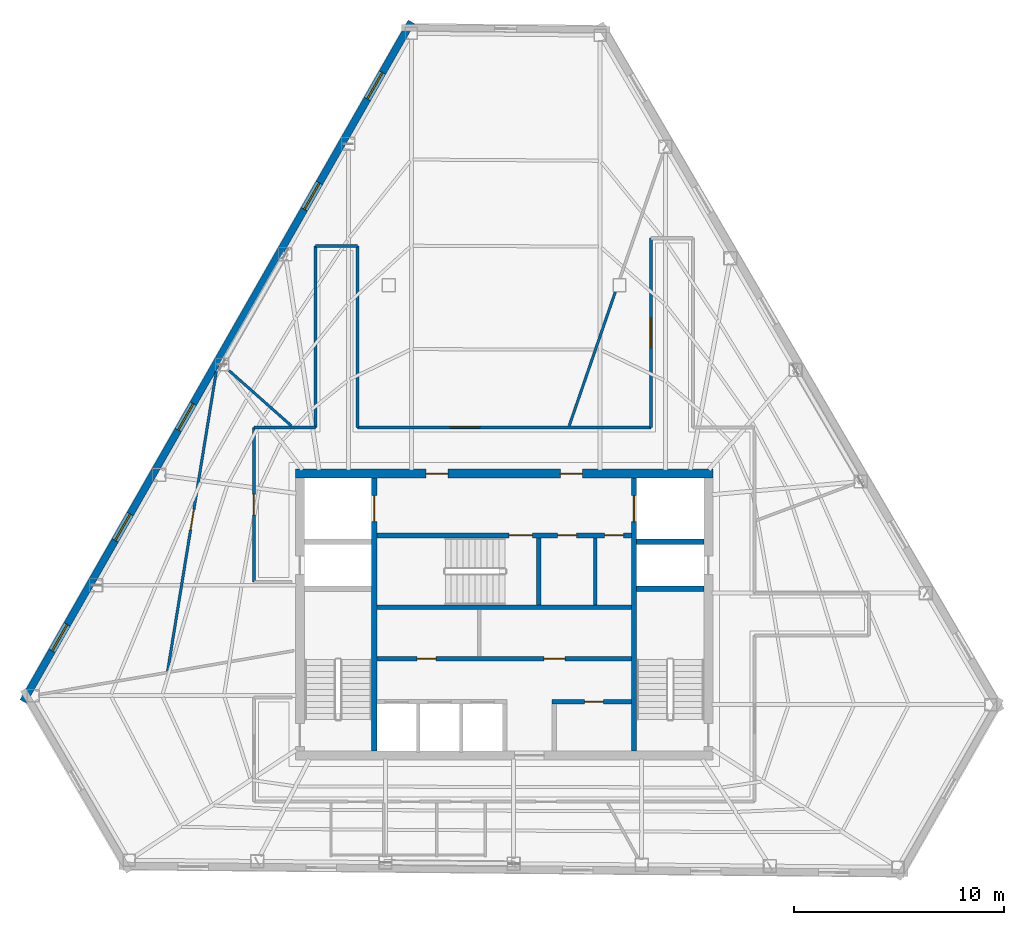
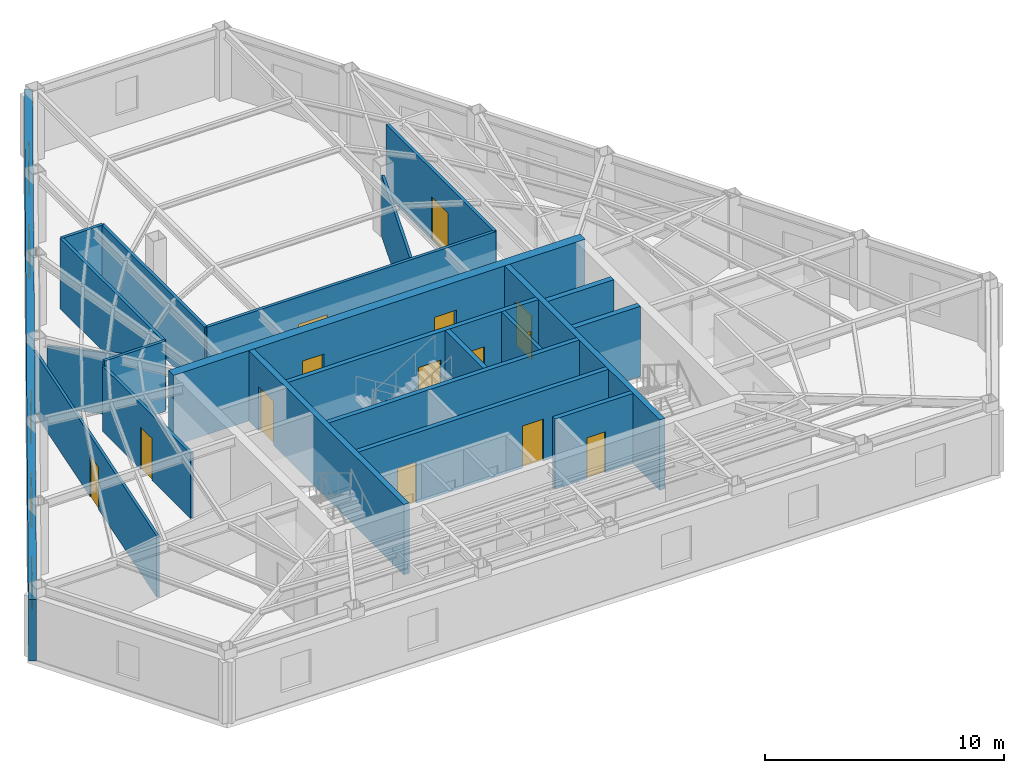
# One storey, part 8 of 10: 22 walls, 14 doors, 5 windows, 19 openings.
"""IFC4 building model written with IfcOpenShell, lengths in metres."""

from ifc_helpers import new_model, si_unit, direction, frame, frame_2d, origin, place, context, subcontext, project, spatial, rectangle, extrude, material, layer, layer_set, type_object, element, fill, save


model = new_model("IFC4")

# Units and contexts
model_context = context("Model", 3, precision=1e-05, world=origin(), true_north=direction((0.0, 1.0)))
body_context = subcontext(model_context, "Body", "Model", "MODEL_VIEW")
ifc_project = project(units=[si_unit("LENGTHUNIT", "METRE"), si_unit("AREAUNIT", "SQUARE_METRE"), si_unit("VOLUMEUNIT", "CUBIC_METRE"), si_unit("PLANEANGLEUNIT", "RADIAN"), si_unit("MASSUNIT", "GRAM", prefix="KILO")], contexts=[model_context])

# Site, building, storey
site_placement = place(None, origin())
site = spatial("IfcSite", under=ifc_project, at=site_placement, CompositionType="ELEMENT")
building_placement = place(site_placement, origin())
building = spatial("IfcBuilding", under=site, at=building_placement, Name="Kavelnor Concourse Tower", CompositionType="ELEMENT")
storey_placement = place(building_placement, frame((0.0, 0.0, 180.39990234375)))
storey = spatial("IfcBuildingStorey", under=building, at=storey_placement, Name="L45", CompositionType="ELEMENT", Elevation=180.39990234375)

# Wall, openings, doors
ifc_material_1 = material(Name="Concrete C50/60", Category="concrete")
ifc_layer_1 = layer(ifc_material_1, 0.43994140625, Name="Concrete C50/60")
ifc_layer_set_1 = layer_set([ifc_layer_1], Name="Concrete C50/60")
wall_type_1 = type_object("IfcWallType", Name="WL-CORE-Z3-440", PredefinedType="SOLIDWALL", material=ifc_layer_set_1)
wall_1_placement = place(storey_placement, frame((28.0400390625, 22.820068359375, 0.0), z_axis=(0.0, 0.0, 1.0), x_axis=(1.0, 0.0, 0.0)))
wall_1 = element("IfcWall", 1, at=wall_1_placement, inside=storey, type_object=wall_type_1, Name="L45 Central Core North Shear Wall", PredefinedType="SOLIDWALL", context=body_context, shape_type="SweptSolid", body=[
    extrude(rectangle(XDim=19.919921875, YDim=0.43994140625, at=frame_2d((9.9599609375, 0.0))), origin(), (0.0, 0.0, 1.0), 3.60009765625),
])
opening_1_placement = place(wall_1_placement, frame((6.235107421875, 0.0, 0.0)))
opening_1 = element("IfcOpeningElement", 2, at=opening_1_placement, cuts=wall_1, Name="Opening FD-105", PredefinedType="OPENING", context=body_context, shape_type="SweptSolid", body=[
    extrude(rectangle(XDim=1.050048828125, YDim=2.14990234375, at=frame_2d((0.52490234375, 1.074951171875))), frame((0.0, 0.22998046875, 0.0), z_axis=(0.0, -1.0, 0.0), x_axis=(1.0, 0.0, 0.0)), (0.0, 0.0, 1.0), 0.4599609375),
])
opening_2_placement = place(wall_1_placement, frame((12.635009765625, 0.0, 0.0)))
opening_2 = element("IfcOpeningElement", 3, at=opening_2_placement, cuts=wall_1, Name="Opening FD-105", PredefinedType="OPENING", context=body_context, shape_type="SweptSolid", body=[
    extrude(rectangle(XDim=1.050048828125, YDim=2.14990234375, at=frame_2d((0.52490234375, 1.074951171875))), frame((0.0, 0.22998046875, 0.0), z_axis=(0.0, -1.0, 0.0), x_axis=(1.0, 0.0, 0.0)), (0.0, 0.0, 1.0), 0.4599609375),
])
ifc_material_2 = material(Name="Steel Grade 350", Category="steel")
door_type_1 = type_object("IfcDoorType", Name="DR-LOBBY-FIRE-1050", OperationType="NOTDEFINED", PredefinedType="DOOR", material=ifc_material_2)
door_1_placement = place(opening_1_placement, origin())
door_1 = element("IfcDoor", 4, at=door_1_placement, inside=storey, type_object=door_type_1, Name="L45 Emergency Lift Lobby West Door", OperationType="SINGLE_SWING_LEFT", OverallHeight=2.14990234375, OverallWidth=1.050048828125, PredefinedType="DOOR", context=body_context, shape_type="SweptSolid", body=[
    extrude(rectangle(XDim=1.050048828125, YDim=2.14990234375, at=frame_2d((0.52490234375, 1.074951171875))), frame((0.0, 0.02490234375, 0.0), z_axis=(0.0, -1.0, 0.0), x_axis=(1.0, 0.0, 0.0)), (0.0, 0.0, 1.0), 0.050048828125),
])
fill(opening_1, door_1)
door_2_placement = place(opening_2_placement, origin())
door_2 = element("IfcDoor", 5, at=door_2_placement, inside=storey, type_object=door_type_1, Name="L45 Emergency Lift Lobby East Door", OperationType="SINGLE_SWING_RIGHT", OverallHeight=2.14990234375, OverallWidth=1.050048828125, PredefinedType="DOOR", context=body_context, shape_type="SweptSolid", body=[
    extrude(rectangle(XDim=1.050048828125, YDim=2.14990234375, at=frame_2d((0.52490234375, 1.074951171875))), frame((0.0, 0.02490234375, 0.0), z_axis=(0.0, -1.0, 0.0), x_axis=(1.0, 0.0, 0.0)), (0.0, 0.0, 1.0), 0.050048828125),
])
fill(opening_2, door_2)

# Wall, openings, windows
ifc_material_3 = material(Name="Red-ochre clay face brick masonry", Category="masonry")
ifc_layer_2 = layer(ifc_material_3, 0.35009765625, Name="Red-ochre clay face brick masonry")
ifc_layer_set_2 = layer_set([ifc_layer_2], Name="Red-ochre clay face brick masonry")
wall_type_2 = type_object("IfcWallType", Name="WL-EXT-RED-BRICK-PIER-350", PredefinedType="STANDARD", material=ifc_layer_set_2)
wall_2_placement = place(storey_placement, frame((15.064208984375, 11.95263671875, 0.0), z_axis=(0.0, 0.0, 1.0), x_axis=(0.495993114815, 0.86832645362, 0.0)))
wall_2 = element("IfcWall", 6, at=wall_2_placement, inside=storey, type_object=wall_type_2, Name="L45 Exterior Brick Facade Wall E1", PredefinedType="STANDARD", context=body_context, shape_type="SweptSolid", body=[
    extrude(rectangle(XDim=37.323974609375, YDim=0.35009765625, at=frame_2d((18.662109375, 0.0))), origin(), (0.0, 0.0, 1.0), 3.132080078125),
])
opening_3_placement = place(wall_2_placement, frame((33.0869140625, 0.0, 0.64990234375)))
opening_3 = element("IfcOpeningElement", 7, at=opening_3_placement, cuts=wall_2, Name="Opening W-03", PredefinedType="OPENING", context=body_context, shape_type="SweptSolid", body=[
    extrude(rectangle(XDim=1.449951171875, YDim=1.75, at=frame_2d((0.72509765625, 0.875))), frame((0.0, 0.18505859375, 0.0), z_axis=(0.0, -1.0, 0.0), x_axis=(1.0, 0.0, 0.0)), (0.0, 0.0, 1.0), 0.3701171875),
])
opening_4_placement = place(wall_2_placement, frame((27.026123046875, 0.0, 0.64990234375)))
opening_4 = element("IfcOpeningElement", 8, at=opening_4_placement, cuts=wall_2, Name="Opening W-03", PredefinedType="OPENING", context=body_context, shape_type="SweptSolid", body=[
    extrude(rectangle(XDim=1.449951171875, YDim=1.75, at=frame_2d((0.72509765625, 0.875))), frame((0.0, 0.18505859375, 0.0), z_axis=(0.0, -1.0, 0.0), x_axis=(1.0, 0.0, 0.0)), (0.0, 0.0, 1.0), 0.3701171875),
])
opening_5_placement = place(wall_2_placement, frame((14.904296875, 0.0, 0.64990234375)))
opening_5 = element("IfcOpeningElement", 9, at=opening_5_placement, cuts=wall_2, Name="Opening W-03", PredefinedType="OPENING", context=body_context, shape_type="SweptSolid", body=[
    extrude(rectangle(XDim=1.449951171875, YDim=1.75, at=frame_2d((0.72509765625, 0.875))), frame((0.0, 0.18505859375, 0.0), z_axis=(0.0, -1.0, 0.0), x_axis=(1.0, 0.0, 0.0)), (0.0, 0.0, 1.0), 0.3701171875),
])
opening_6_placement = place(wall_2_placement, frame((8.843505859375, 0.0, 0.64990234375)))
opening_6 = element("IfcOpeningElement", 10, at=opening_6_placement, cuts=wall_2, Name="Opening W-03", PredefinedType="OPENING", context=body_context, shape_type="SweptSolid", body=[
    extrude(rectangle(XDim=1.449951171875, YDim=1.75, at=frame_2d((0.72509765625, 0.875))), frame((0.0, 0.18505859375, 0.0), z_axis=(0.0, -1.0, 0.0), x_axis=(1.0, 0.0, 0.0)), (0.0, 0.0, 1.0), 0.3701171875),
])
opening_7_placement = place(wall_2_placement, frame((2.782470703125, 0.0, 0.64990234375)))
opening_7 = element("IfcOpeningElement", 11, at=opening_7_placement, cuts=wall_2, Name="Opening W-03", PredefinedType="OPENING", context=body_context, shape_type="SweptSolid", body=[
    extrude(rectangle(XDim=1.449951171875, YDim=1.75, at=frame_2d((0.72509765625, 0.875))), frame((0.0, 0.18505859375, 0.0), z_axis=(0.0, -1.0, 0.0), x_axis=(1.0, 0.0, 0.0)), (0.0, 0.0, 1.0), 0.3701171875),
])
ifc_material_4 = material(Name="Double low-E argon insulated glazing", Category="glass")
window_type = type_object("IfcWindowType", Name="WIN-PIER-Z3-1500", PartitioningType="SINGLE_PANEL", PredefinedType="WINDOW", material=ifc_material_4)
window_1_placement = place(opening_3_placement, origin())
window_1 = element("IfcWindow", 12, at=window_1_placement, inside=storey, type_object=window_type, Name="L45 Deep-Set Brick Pier Window F0-B0", OverallHeight=1.75, OverallWidth=1.449951171875, PartitioningType="SINGLE_PANEL", PredefinedType="WINDOW", context=body_context, shape_type="SweptSolid", body=[
    extrude(rectangle(XDim=1.449951171875, YDim=1.75, at=frame_2d((0.72509765625, 0.875))), frame((0.0, 0.030029296875, 0.0), z_axis=(0.0, -1.0, 0.0), x_axis=(1.0, 0.0, 0.0)), (0.0, 0.0, 1.0), 0.06005859375),
])
fill(opening_3, window_1)
window_2_placement = place(opening_4_placement, origin())
window_2 = element("IfcWindow", 13, at=window_2_placement, inside=storey, type_object=window_type, Name="L45 Deep-Set Brick Pier Window F0-B1", OverallHeight=1.75, OverallWidth=1.449951171875, PartitioningType="SINGLE_PANEL", PredefinedType="WINDOW", context=body_context, shape_type="SweptSolid", body=[
    extrude(rectangle(XDim=1.449951171875, YDim=1.75, at=frame_2d((0.72509765625, 0.875))), frame((0.0, 0.030029296875, 0.0), z_axis=(0.0, -1.0, 0.0), x_axis=(1.0, 0.0, 0.0)), (0.0, 0.0, 1.0), 0.06005859375),
])
fill(opening_4, window_2)
window_3_placement = place(opening_5_placement, origin())
window_3 = element("IfcWindow", 14, at=window_3_placement, inside=storey, type_object=window_type, Name="L45 Deep-Set Brick Pier Window F0-B3", OverallHeight=1.75, OverallWidth=1.449951171875, PartitioningType="SINGLE_PANEL", PredefinedType="WINDOW", context=body_context, shape_type="SweptSolid", body=[
    extrude(rectangle(XDim=1.449951171875, YDim=1.75, at=frame_2d((0.72509765625, 0.875))), frame((0.0, 0.030029296875, 0.0), z_axis=(0.0, -1.0, 0.0), x_axis=(1.0, 0.0, 0.0)), (0.0, 0.0, 1.0), 0.06005859375),
])
fill(opening_5, window_3)
window_4_placement = place(opening_6_placement, origin())
window_4 = element("IfcWindow", 15, at=window_4_placement, inside=storey, type_object=window_type, Name="L45 Deep-Set Brick Pier Window F0-B4", OverallHeight=1.75, OverallWidth=1.449951171875, PartitioningType="SINGLE_PANEL", PredefinedType="WINDOW", context=body_context, shape_type="SweptSolid", body=[
    extrude(rectangle(XDim=1.449951171875, YDim=1.75, at=frame_2d((0.72509765625, 0.875))), frame((0.0, 0.030029296875, 0.0), z_axis=(0.0, -1.0, 0.0), x_axis=(1.0, 0.0, 0.0)), (0.0, 0.0, 1.0), 0.06005859375),
])
fill(opening_6, window_4)
window_5_placement = place(opening_7_placement, origin())
window_5 = element("IfcWindow", 16, at=window_5_placement, inside=storey, type_object=window_type, Name="L45 Deep-Set Brick Pier Window F0-B5", OverallHeight=1.75, OverallWidth=1.449951171875, PartitioningType="SINGLE_PANEL", PredefinedType="WINDOW", context=body_context, shape_type="SweptSolid", body=[
    extrude(rectangle(XDim=1.449951171875, YDim=1.75, at=frame_2d((0.72509765625, 0.875))), frame((0.0, 0.030029296875, 0.0), z_axis=(0.0, -1.0, 0.0), x_axis=(1.0, 0.0, 0.0)), (0.0, 0.0, 1.0), 0.06005859375),
])
fill(opening_7, window_5)

# Wall, opening, door
ifc_material_5 = material(Name="Gypsum plasterboard on light-gauge steel studs", Category="steel")
ifc_layer_3 = layer(ifc_material_5, 0.14501953125, Name="Gypsum plasterboard on light-gauge steel studs")
ifc_layer_set_3 = layer_set([ifc_layer_3], Name="Gypsum plasterboard on light-gauge steel studs")
wall_type_3 = type_object("IfcWallType", Name="WL-INT-CORR-145", PredefinedType="PARTITIONING", material=ifc_layer_set_3)
wall_3_placement = place(storey_placement, frame((26.06005859375, 17.64990234375, 0.0), z_axis=(0.0, 0.0, 1.0), x_axis=(0.0, 1.0, 0.0)))
wall_3 = element("IfcWall", 17, at=wall_3_placement, inside=storey, type_object=wall_type_3, Name="L45 Corridor Wall WL-L45-CR-02", PredefinedType="PARTITIONING", context=body_context, shape_type="SweptSolid", body=[
    extrude(rectangle(XDim=7.3701171875, YDim=0.14501953125, at=frame_2d((3.68505859375, 0.0))), origin(), (0.0, 0.0, 1.0), 3.339111328125),
])
opening_8_placement = place(wall_3_placement, frame((3.195068359375, 0.0, 0.0)))
opening_8 = element("IfcOpeningElement", 18, at=opening_8_placement, cuts=wall_3, Name="Opening OD-098", PredefinedType="OPENING", context=body_context, shape_type="SweptSolid", body=[
    extrude(rectangle(XDim=0.97998046875, YDim=2.14990234375, at=frame_2d((0.489990234375, 1.074951171875))), frame((0.0, 0.08251953125, 0.0), z_axis=(0.0, -1.0, 0.0), x_axis=(1.0, 0.0, 0.0)), (0.0, 0.0, 1.0), 0.1650390625),
])
ifc_material_6 = material(Name="Solid-core hardwood timber", Category="wood")
door_type_2 = type_object("IfcDoorType", Name="DR-OFFICE-980", OperationType="NOTDEFINED", PredefinedType="DOOR", material=ifc_material_6)
door_3_placement = place(opening_8_placement, origin())
door_3 = element("IfcDoor", 19, at=door_3_placement, inside=storey, type_object=door_type_2, Name="L45 Executive Dining Room 03 Door", OperationType="SINGLE_SWING_LEFT", OverallHeight=2.14990234375, OverallWidth=0.97998046875, PredefinedType="DOOR", context=body_context, shape_type="SweptSolid", body=[
    extrude(rectangle(XDim=0.97998046875, YDim=2.14990234375, at=frame_2d((0.489990234375, 1.074951171875))), frame((0.0, 0.02490234375, 0.0), z_axis=(0.0, -1.0, 0.0), x_axis=(1.0, 0.0, 0.0)), (0.0, 0.0, 1.0), 0.050048828125),
])
fill(opening_8, door_3)

# Walls
wall_4_placement = place(storey_placement, frame((26.06005859375, 25.02001953125, 0.0), z_axis=(0.0, 0.0, 1.0), x_axis=(1.0, 0.0, 0.0)))
element("IfcWall", 20, at=wall_4_placement, inside=storey, type_object=wall_type_3, Name="L45 Corridor Wall WL-L45-CR-03", PredefinedType="PARTITIONING", context=body_context, shape_type="SweptSolid", body=[
    extrude(rectangle(XDim=2.93994140625, YDim=0.14501953125, at=frame_2d((1.469970703125, 0.0))), origin(), (0.0, 0.0, 1.0), 3.60009765625),
])
wall_5_placement = place(storey_placement, frame((29.0, 25.02001953125, 0.0), z_axis=(0.0, 0.0, 1.0), x_axis=(0.0, 1.0, 0.0)))
element("IfcWall", 21, at=wall_5_placement, inside=storey, type_object=wall_type_3, Name="L45 Corridor Wall WL-L45-CR-04", PredefinedType="PARTITIONING", context=body_context, shape_type="SweptSolid", body=[
    extrude(rectangle(XDim=8.661865234375, YDim=0.14501953125, at=frame_2d((4.3310546875, 0.0))), origin(), (0.0, 0.0, 1.0), 3.60009765625),
])
wall_6_placement = place(storey_placement, frame((29.0, 33.681884765625, 0.0), z_axis=(0.0, 0.0, 1.0), x_axis=(1.0, 0.0, 0.0)))
element("IfcWall", 22, at=wall_6_placement, inside=storey, type_object=wall_type_3, Name="L45 Corridor Wall WL-L45-CR-05", PredefinedType="PARTITIONING", context=body_context, shape_type="SweptSolid", body=[
    extrude(rectangle(XDim=2.0, YDim=0.14501953125, at=frame_2d((1.0, 0.0))), origin(), (0.0, 0.0, 1.0), 3.60009765625),
])
wall_7_placement = place(storey_placement, frame((31.0, 33.681884765625, 0.0), z_axis=(0.0, 0.0, 1.0), x_axis=(0.0, -1.0, 0.0)))
element("IfcWall", 23, at=wall_7_placement, inside=storey, type_object=wall_type_3, Name="L45 Corridor Wall WL-L45-CR-06", PredefinedType="PARTITIONING", context=body_context, shape_type="SweptSolid", body=[
    extrude(rectangle(XDim=8.661865234375, YDim=0.14501953125, at=frame_2d((4.3310546875, 0.0))), origin(), (0.0, 0.0, 1.0), 3.60009765625),
])

# Wall, opening, door
wall_8_placement = place(storey_placement, frame((31.0, 25.02001953125, 0.0), z_axis=(0.0, 0.0, 1.0), x_axis=(1.0, 0.0, 0.0)))
wall_8 = element("IfcWall", 24, at=wall_8_placement, inside=storey, type_object=wall_type_3, Name="L45 Corridor Wall WL-L45-CR-07", PredefinedType="PARTITIONING", context=body_context, shape_type="SweptSolid", body=[
    extrude(rectangle(XDim=14.0, YDim=0.14501953125, at=frame_2d((7.0, 0.0))), origin(), (0.0, 0.0, 1.0), 3.60009765625),
])
opening_9_placement = place(wall_8_placement, frame((4.434326171875, 0.0, 0.0)))
opening_9 = element("IfcOpeningElement", 25, at=opening_9_placement, cuts=wall_8, Name="Opening SD-140", PredefinedType="OPENING", context=body_context, shape_type="SweptSolid", body=[
    extrude(rectangle(XDim=1.39990234375, YDim=2.199951171875, at=frame_2d((0.699951171875, 1.10009765625))), frame((0.0, 0.08251953125, 0.0), z_axis=(0.0, -1.0, 0.0), x_axis=(1.0, 0.0, 0.0)), (0.0, 0.0, 1.0), 0.1650390625),
])
door_type_3 = type_object("IfcDoorType", Name="DR-SUITE-ENTRY-1400", OperationType="NOTDEFINED", PredefinedType="DOOR", material=ifc_material_6)
door_4_placement = place(opening_9_placement, origin())
door_4 = element("IfcDoor", 26, at=door_4_placement, inside=storey, type_object=door_type_3, Name="L45 Workplace Open Office 02 Door", OperationType="SINGLE_SWING_RIGHT", OverallHeight=2.199951171875, OverallWidth=1.39990234375, PredefinedType="DOOR", context=body_context, shape_type="SweptSolid", body=[
    extrude(rectangle(XDim=1.39990234375, YDim=2.199951171875, at=frame_2d((0.699951171875, 1.10009765625))), frame((0.0, 0.02490234375, 0.0), z_axis=(0.0, -1.0, 0.0), x_axis=(1.0, 0.0, 0.0)), (0.0, 0.0, 1.0), 0.050048828125),
])
fill(opening_9, door_4)

wall_9_placement = place(storey_placement, frame((45.0, 25.02001953125, 0.0), z_axis=(0.0, 0.0, 1.0), x_axis=(0.0, 1.0, 0.0)))
wall_9 = element("IfcWall", 27, at=wall_9_placement, inside=storey, type_object=wall_type_3, Name="L45 Corridor Wall WL-L45-CR-08", PredefinedType="PARTITIONING", context=body_context, shape_type="SweptSolid", body=[
    extrude(rectangle(XDim=9.0224609375, YDim=0.14501953125, at=frame_2d((4.51123046875, 0.0))), origin(), (0.0, 0.0, 1.0), 3.60009765625),
])
opening_10_placement = place(wall_9_placement, frame((3.811279296875, 0.0, 0.0)))
opening_10 = element("IfcOpeningElement", 28, at=opening_10_placement, cuts=wall_9, Name="Opening SD-140", PredefinedType="OPENING", context=body_context, shape_type="SweptSolid", body=[
    extrude(rectangle(XDim=1.39990234375, YDim=2.199951171875, at=frame_2d((0.699951171875, 1.10009765625))), frame((0.0, 0.08251953125, 0.0), z_axis=(0.0, -1.0, 0.0), x_axis=(1.0, 0.0, 0.0)), (0.0, 0.0, 1.0), 0.1650390625),
])
door_5_placement = place(opening_10_placement, origin())
door_5 = element("IfcDoor", 29, at=door_5_placement, inside=storey, type_object=door_type_3, Name="L45 Technical Reference Library 01 Door", OperationType="SINGLE_SWING_LEFT", OverallHeight=2.199951171875, OverallWidth=1.39990234375, PredefinedType="DOOR", context=body_context, shape_type="SweptSolid", body=[
    extrude(rectangle(XDim=1.39990234375, YDim=2.199951171875, at=frame_2d((0.699951171875, 1.10009765625))), frame((0.0, 0.02490234375, 0.0), z_axis=(0.0, -1.0, 0.0), x_axis=(1.0, 0.0, 0.0)), (0.0, 0.0, 1.0), 0.050048828125),
])
fill(opening_10, door_5)

# Walls
ifc_layer_4 = layer(ifc_material_5, 0.1650390625, Name="Gypsum plasterboard on light-gauge steel studs")
ifc_layer_set_4 = layer_set([ifc_layer_4], Name="Gypsum plasterboard on light-gauge steel studs")
wall_type_4 = type_object("IfcWallType", Name="WL-INT-FIRE-165", PredefinedType="PARTITIONING", material=ifc_layer_set_4)
wall_10_placement = place(storey_placement, frame((42.35009765625, 16.56005859375, 0.0), z_axis=(0.0, 0.0, 1.0), x_axis=(0.0, 1.0, 0.0)))
element("IfcWall", 30, at=wall_10_placement, inside=storey, type_object=wall_type_4, Name="L45 Core Support Asymmetric Divider", PredefinedType="PARTITIONING", context=body_context, shape_type="SweptSolid", body=[
    extrude(rectangle(XDim=3.199951171875, YDim=0.1650390625, at=frame_2d((1.60009765625, 0.0))), origin(), (0.0, 0.0, 1.0), 3.60009765625),
])
ifc_layer_5 = layer(ifc_material_5, 0.125, Name="Gypsum plasterboard on light-gauge steel studs")
ifc_layer_set_5 = layer_set([ifc_layer_5], Name="Gypsum plasterboard on light-gauge steel studs")
wall_type_5 = type_object("IfcWallType", Name="WL-INT-SUITE-125", PredefinedType="PARTITIONING", material=ifc_layer_set_5)
wall_11_placement = place(storey_placement, frame((41.1005859375, 25.1005859375, 0.0), z_axis=(0.0, 0.0, 1.0), x_axis=(0.325732757855, 0.945461882077, 0.0)))
element("IfcWall", 31, at=wall_11_placement, inside=storey, type_object=wall_type_5, Name="L45 Radial Suite Partition 02", PredefinedType="PARTITIONING", context=body_context, shape_type="SweptSolid", body=[
    extrude(rectangle(XDim=6.73876953125, YDim=0.125, at=frame_2d((3.369384765625, 0.0))), origin(), (0.0, 0.0, 1.0), 3.14111328125),
])
wall_12_placement = place(storey_placement, frame((27.848388671875, 25.1005859375, 0.0), z_axis=(0.0, 0.0, 1.0), x_axis=(-0.748288582972, 0.66337334631, 0.0)))
element("IfcWall", 32, at=wall_12_placement, inside=storey, type_object=wall_type_5, Name="L45 Radial Suite Partition 03", PredefinedType="PARTITIONING", context=body_context, shape_type="SweptSolid", body=[
    extrude(rectangle(XDim=3.96484375, YDim=0.125, at=frame_2d((1.982421875, 0.0))), origin(), (0.0, 0.0, 1.0), 3.14111328125),
])

# Wall, opening, door
wall_13_placement = place(storey_placement, frame((24.272705078125, 27.693603515625, 0.0), z_axis=(0.0, 0.0, 1.0), x_axis=(-0.160245052552, -0.987077263, 0.0)))
wall_13 = element("IfcWall", 33, at=wall_13_placement, inside=storey, type_object=wall_type_5, Name="L45 Suite Subdivision Partition 03", PredefinedType="PARTITIONING", context=body_context, shape_type="SweptSolid", body=[
    extrude(rectangle(XDim=14.530029296875, YDim=0.125, at=frame_2d((7.26513671875, 0.0))), origin(), (0.0, 0.0, 1.0), 3.135009765625),
])
opening_11_placement = place(wall_13_placement, frame((6.665283203125, 0.0, 0.0)))
opening_11 = element("IfcOpeningElement", 34, at=opening_11_placement, cuts=wall_13, Name="Opening OD-098", PredefinedType="OPENING", context=body_context, shape_type="SweptSolid", body=[
    extrude(rectangle(XDim=0.97998046875, YDim=2.14990234375, at=frame_2d((0.489990234375, 1.074951171875))), frame((0.0, 0.072509765625, 0.0), z_axis=(0.0, -1.0, 0.0), x_axis=(1.0, 0.0, 0.0)), (0.0, 0.0, 1.0), 0.14501953125),
])
door_6_placement = place(opening_11_placement, origin())
door_6 = element("IfcDoor", 35, at=door_6_placement, inside=storey, type_object=door_type_2, Name="L45 Technical Reference Library 04 Door", OperationType="SINGLE_SWING_RIGHT", OverallHeight=2.14990234375, OverallWidth=0.97998046875, PredefinedType="DOOR", context=body_context, shape_type="SweptSolid", body=[
    extrude(rectangle(XDim=0.97998046875, YDim=2.14990234375, at=frame_2d((0.489990234375, 1.074951171875))), frame((0.0, 0.02490234375, 0.0), z_axis=(0.0, -1.0, 0.0), x_axis=(1.0, 0.0, 0.0)), (0.0, 0.0, 1.0), 0.050048828125),
])
fill(opening_11, door_6)

# Wall, openings, doors
ifc_layer_6 = layer(ifc_material_1, 0.219970703125, Name="Concrete C50/60")
ifc_layer_set_6 = layer_set([ifc_layer_6], Name="Concrete C50/60")
wall_type_6 = type_object("IfcWallType", Name="WL-SHAFT-220", PredefinedType="SOLIDWALL", material=ifc_layer_set_6)
wall_14_placement = place(storey_placement, frame((31.93994140625, 19.8701171875, 0.0), z_axis=(0.0, 0.0, 1.0), x_axis=(1.0, 0.0, 0.0)))
wall_14 = element("IfcWall", 36, at=wall_14_placement, inside=storey, type_object=wall_type_6, Name="L45 Emergency Lift Lobby South Wall", PredefinedType="SOLIDWALL", context=body_context, shape_type="SweptSolid", body=[
    extrude(rectangle(XDim=12.1201171875, YDim=0.219970703125, at=frame_2d((6.06005859375, 0.0))), origin(), (0.0, 0.0, 1.0), 3.60009765625),
])
opening_12_placement = place(wall_14_placement, frame((6.300048828125, 0.0, 0.0)))
opening_12 = element("IfcOpeningElement", 37, at=opening_12_placement, cuts=wall_14, Name="Opening FD-110", PredefinedType="OPENING", context=body_context, shape_type="SweptSolid", body=[
    extrude(rectangle(XDim=1.10009765625, YDim=2.14990234375, at=frame_2d((0.550048828125, 1.074951171875))), frame((0.0, 0.1201171875, 0.0), z_axis=(0.0, -1.0, 0.0), x_axis=(1.0, 0.0, 0.0)), (0.0, 0.0, 1.0), 0.239990234375),
])
opening_13_placement = place(wall_14_placement, frame((8.610107421875, 0.0, 0.0)))
opening_13 = element("IfcOpeningElement", 38, at=opening_13_placement, cuts=wall_14, Name="Opening FD-090", PredefinedType="OPENING", context=body_context, shape_type="SweptSolid", body=[
    extrude(rectangle(XDim=0.89990234375, YDim=2.10009765625, at=frame_2d((0.449951171875, 1.050048828125))), frame((0.0, 0.1201171875, 0.0), z_axis=(0.0, -1.0, 0.0), x_axis=(1.0, 0.0, 0.0)), (0.0, 0.0, 1.0), 0.239990234375),
])
opening_14_placement = place(wall_14_placement, frame((10.85009765625, 0.0, 0.0)))
opening_14 = element("IfcOpeningElement", 39, at=opening_14_placement, cuts=wall_14, Name="Opening FD-090", PredefinedType="OPENING", context=body_context, shape_type="SweptSolid", body=[
    extrude(rectangle(XDim=0.89990234375, YDim=2.10009765625, at=frame_2d((0.449951171875, 1.050048828125))), frame((0.0, 0.1201171875, 0.0), z_axis=(0.0, -1.0, 0.0), x_axis=(1.0, 0.0, 0.0)), (0.0, 0.0, 1.0), 0.239990234375),
])
door_type_4 = type_object("IfcDoorType", Name="DR-RISER-FIRE-900", OperationType="NOTDEFINED", PredefinedType="DOOR", material=ifc_material_2)
door_7_placement = place(opening_13_placement, origin())
door_7 = element("IfcDoor", 40, at=door_7_placement, inside=storey, type_object=door_type_4, Name="L45 Electrical Room Door", OperationType="SINGLE_SWING_LEFT", OverallHeight=2.10009765625, OverallWidth=0.89990234375, PredefinedType="DOOR", context=body_context, shape_type="SweptSolid", body=[
    extrude(rectangle(XDim=0.89990234375, YDim=2.10009765625, at=frame_2d((0.449951171875, 1.050048828125))), frame((0.0, 0.02490234375, 0.0), z_axis=(0.0, -1.0, 0.0), x_axis=(1.0, 0.0, 0.0)), (0.0, 0.0, 1.0), 0.050048828125),
])
fill(opening_13, door_7)
door_8_placement = place(opening_14_placement, origin())
door_8 = element("IfcDoor", 41, at=door_8_placement, inside=storey, type_object=door_type_4, Name="L45 Cleaner Store Door", OperationType="SINGLE_SWING_RIGHT", OverallHeight=2.10009765625, OverallWidth=0.89990234375, PredefinedType="DOOR", context=body_context, shape_type="SweptSolid", body=[
    extrude(rectangle(XDim=0.89990234375, YDim=2.10009765625, at=frame_2d((0.449951171875, 1.050048828125))), frame((0.0, 0.02490234375, 0.0), z_axis=(0.0, -1.0, 0.0), x_axis=(1.0, 0.0, 0.0)), (0.0, 0.0, 1.0), 0.050048828125),
])
fill(opening_14, door_8)
door_type_5 = type_object("IfcDoorType", Name="DR-STAIR-FIRE-1100", OperationType="NOTDEFINED", PredefinedType="DOOR", material=ifc_material_2)
door_9_placement = place(opening_12_placement, origin())
door_9 = element("IfcDoor", 42, at=door_9_placement, inside=storey, type_object=door_type_5, Name="L45 Stair ST3 Fire Door", OperationType="SINGLE_SWING_LEFT", OverallHeight=2.14990234375, OverallWidth=1.10009765625, PredefinedType="DOOR", context=body_context, shape_type="SweptSolid", body=[
    extrude(rectangle(XDim=1.10009765625, YDim=2.14990234375, at=frame_2d((0.550048828125, 1.074951171875))), frame((0.0, 0.02490234375, 0.0), z_axis=(0.0, -1.0, 0.0), x_axis=(1.0, 0.0, 0.0)), (0.0, 0.0, 1.0), 0.050048828125),
])
fill(opening_12, door_9)

# Walls
wall_15_placement = place(storey_placement, frame((31.93994140625, 16.449951171875, 0.0), z_axis=(0.0, 0.0, 1.0), x_axis=(1.0, 0.0, 0.0)))
element("IfcWall", 43, at=wall_15_placement, inside=storey, type_object=wall_type_6, Name="L45 Stair ST3 South Core Wall", PredefinedType="SOLIDWALL", context=body_context, shape_type="SweptSolid", body=[
    extrude(rectangle(XDim=12.1201171875, YDim=0.219970703125, at=frame_2d((6.06005859375, 0.0))), origin(), (0.0, 0.0, 1.0), 3.60009765625),
])
wall_16_placement = place(storey_placement, frame((39.64990234375, 16.56005859375, 0.0), z_axis=(0.0, 0.0, 1.0), x_axis=(0.0, 1.0, 0.0)))
element("IfcWall", 44, at=wall_16_placement, inside=storey, type_object=wall_type_6, Name="L45 Stair ST3 East Core Wall", PredefinedType="SOLIDWALL", context=body_context, shape_type="SweptSolid", body=[
    extrude(rectangle(XDim=3.199951171875, YDim=0.219970703125, at=frame_2d((1.60009765625, 0.0))), origin(), (0.0, 0.0, 1.0), 3.60009765625),
])

# Wall, openings, doors
wall_17_placement = place(storey_placement, frame((31.93994140625, 13.989990234375, 0.0), z_axis=(0.0, 0.0, 1.0), x_axis=(1.0, 0.0, 0.0)))
wall_17 = element("IfcWall", 45, at=wall_17_placement, inside=storey, type_object=wall_type_6, Name="L45 North Lift Row Shaft Wall", PredefinedType="SOLIDWALL", context=body_context, shape_type="SweptSolid", body=[
    extrude(rectangle(XDim=12.1201171875, YDim=0.219970703125, at=frame_2d((6.06005859375, 0.0))), origin(), (0.0, 0.0, 1.0), 3.60009765625),
])
opening_15_placement = place(wall_17_placement, frame((1.909912109375, 0.0, 0.0)))
opening_15 = element("IfcOpeningElement", 46, at=opening_15_placement, cuts=wall_17, Name="Opening FD-090", PredefinedType="OPENING", context=body_context, shape_type="SweptSolid", body=[
    extrude(rectangle(XDim=0.89990234375, YDim=2.10009765625, at=frame_2d((0.449951171875, 1.050048828125))), frame((0.0, 0.1201171875, 0.0), z_axis=(0.0, -1.0, 0.0), x_axis=(1.0, 0.0, 0.0)), (0.0, 0.0, 1.0), 0.239990234375),
])
opening_16_placement = place(wall_17_placement, frame((7.949951171875, 0.0, 0.0)))
opening_16 = element("IfcOpeningElement", 47, at=opening_16_placement, cuts=wall_17, Name="Opening MD-102", PredefinedType="OPENING", context=body_context, shape_type="SweptSolid", body=[
    extrude(rectangle(XDim=1.02001953125, YDim=2.14990234375, at=frame_2d((0.510009765625, 1.074951171875))), frame((0.0, 0.1201171875, 0.0), z_axis=(0.0, -1.0, 0.0), x_axis=(1.0, 0.0, 0.0)), (0.0, 0.0, 1.0), 0.239990234375),
])
ifc_material_7 = material(Name="Acoustic glazed timber frame", Category="wood")
door_type_6 = type_object("IfcDoorType", Name="DR-MEETING-1020", OperationType="NOTDEFINED", PredefinedType="DOOR", material=ifc_material_7)
door_10_placement = place(opening_16_placement, origin())
door_10 = element("IfcDoor", 48, at=door_10_placement, inside=storey, type_object=door_type_6, Name="L45 Briefing Room Door", OperationType="SINGLE_SWING_RIGHT", OverallHeight=2.14990234375, OverallWidth=1.02001953125, PredefinedType="DOOR", context=body_context, shape_type="SweptSolid", body=[
    extrude(rectangle(XDim=1.02001953125, YDim=2.14990234375, at=frame_2d((0.510009765625, 1.074951171875))), frame((0.0, 0.02490234375, 0.0), z_axis=(0.0, -1.0, 0.0), x_axis=(1.0, 0.0, 0.0)), (0.0, 0.0, 1.0), 0.050048828125),
])
fill(opening_16, door_10)
door_11_placement = place(opening_15_placement, origin())
door_11 = element("IfcDoor", 49, at=door_11_placement, inside=storey, type_object=door_type_4, Name="L45 IT Room Door", OperationType="SINGLE_SWING_LEFT", OverallHeight=2.10009765625, OverallWidth=0.89990234375, PredefinedType="DOOR", context=body_context, shape_type="SweptSolid", body=[
    extrude(rectangle(XDim=0.89990234375, YDim=2.10009765625, at=frame_2d((0.449951171875, 1.050048828125))), frame((0.0, 0.02490234375, 0.0), z_axis=(0.0, -1.0, 0.0), x_axis=(1.0, 0.0, 0.0)), (0.0, 0.0, 1.0), 0.050048828125),
])
fill(opening_15, door_11)

# Wall, opening, door
wall_18_placement = place(storey_placement, frame((40.280029296875, 11.949951171875, 0.0), z_axis=(0.0, 0.0, 1.0), x_axis=(1.0, 0.0, 0.0)))
wall_18 = element("IfcWall", 50, at=wall_18_placement, inside=storey, type_object=wall_type_6, Name="L45 Core South Support North Wall", PredefinedType="SOLIDWALL", context=body_context, shape_type="SweptSolid", body=[
    extrude(rectangle(XDim=3.780029296875, YDim=0.219970703125, at=frame_2d((1.89013671875, 0.0))), origin(), (0.0, 0.0, 1.0), 3.60009765625),
])
opening_17_placement = place(wall_18_placement, frame((1.550048828125, 0.0, 0.0)))
opening_17 = element("IfcOpeningElement", 51, at=opening_17_placement, cuts=wall_18, Name="Opening FD-090", PredefinedType="OPENING", context=body_context, shape_type="SweptSolid", body=[
    extrude(rectangle(XDim=0.89990234375, YDim=2.10009765625, at=frame_2d((0.449951171875, 1.050048828125))), frame((0.0, 0.1201171875, 0.0), z_axis=(0.0, -1.0, 0.0), x_axis=(1.0, 0.0, 0.0)), (0.0, 0.0, 1.0), 0.239990234375),
])
door_12_placement = place(opening_17_placement, origin())
door_12 = element("IfcDoor", 52, at=door_12_placement, inside=storey, type_object=door_type_4, Name="L45 Core Utility Store Door", OperationType="SINGLE_SWING_LEFT", OverallHeight=2.10009765625, OverallWidth=0.89990234375, PredefinedType="DOOR", context=body_context, shape_type="SweptSolid", body=[
    extrude(rectangle(XDim=0.89990234375, YDim=2.10009765625, at=frame_2d((0.449951171875, 1.050048828125))), frame((0.0, 0.02490234375, 0.0), z_axis=(0.0, -1.0, 0.0), x_axis=(1.0, 0.0, 0.0)), (0.0, 0.0, 1.0), 0.050048828125),
])
fill(opening_17, door_12)

ifc_layer_7 = layer(ifc_material_1, 0.260009765625, Name="Concrete C50/60")
ifc_layer_set_7 = layer_set([ifc_layer_7], Name="Concrete C50/60")
wall_type_7 = type_object("IfcWallType", Name="WL-SHAFT-260", PredefinedType="SHEAR", material=ifc_layer_set_7)
wall_19_placement = place(storey_placement, frame((31.81005859375, 9.60009765625, 0.0), z_axis=(0.0, 0.0, 1.0), x_axis=(0.0, 1.0, 0.0)))
wall_19 = element("IfcWall", 53, at=wall_19_placement, inside=storey, type_object=wall_type_7, Name="L45 Core West Wing Shear Wall", PredefinedType="SHEAR", context=body_context, shape_type="SweptSolid", body=[
    extrude(rectangle(XDim=13.0, YDim=0.260009765625, at=frame_2d((6.5, 0.0))), origin(), (0.0, 0.0, 1.0), 3.60009765625),
])
opening_18_placement = place(wall_19_placement, frame((10.925048828125, 0.0, 0.0)))
opening_18 = element("IfcOpeningElement", 54, at=opening_18_placement, cuts=wall_19, Name="Opening LD-125", PredefinedType="OPENING", context=body_context, shape_type="SweptSolid", body=[
    extrude(rectangle(XDim=1.25, YDim=2.25, at=frame_2d((0.625, 1.125))), frame((0.0, 0.14013671875, 0.0), z_axis=(0.0, -1.0, 0.0), x_axis=(1.0, 0.0, 0.0)), (0.0, 0.0, 1.0), 0.280029296875),
])
door_type_7 = type_object("IfcDoorType", Name="DR-LIFT-SLIDING-1250", OperationType="NOTDEFINED", PredefinedType="DOOR", material=ifc_material_2)
door_13_placement = place(opening_18_placement, origin())
door_13 = element("IfcDoor", 55, at=door_13_placement, inside=storey, type_object=door_type_7, Name="L45 Emergency Lift FL1 Landing Door", OperationType="DOUBLE_DOOR_SLIDING", OverallHeight=2.25, OverallWidth=1.25, PredefinedType="DOOR", context=body_context, shape_type="SweptSolid", body=[
    extrude(rectangle(XDim=1.25, YDim=2.25, at=frame_2d((0.625, 1.125))), frame((0.0, 0.02490234375, 0.0), z_axis=(0.0, -1.0, 0.0), x_axis=(1.0, 0.0, 0.0)), (0.0, 0.0, 1.0), 0.050048828125),
])
fill(opening_18, door_13)

wall_20_placement = place(storey_placement, frame((44.18994140625, 9.60009765625, 0.0), z_axis=(0.0, 0.0, 1.0), x_axis=(0.0, 1.0, 0.0)))
wall_20 = element("IfcWall", 56, at=wall_20_placement, inside=storey, type_object=wall_type_7, Name="L45 Core East Wing Shear Wall", PredefinedType="SHEAR", context=body_context, shape_type="SweptSolid", body=[
    extrude(rectangle(XDim=13.0, YDim=0.260009765625, at=frame_2d((6.5, 0.0))), origin(), (0.0, 0.0, 1.0), 3.60009765625),
])
opening_19_placement = place(wall_20_placement, frame((10.925048828125, 0.0, 0.0)))
opening_19 = element("IfcOpeningElement", 57, at=opening_19_placement, cuts=wall_20, Name="Opening LD-125", PredefinedType="OPENING", context=body_context, shape_type="SweptSolid", body=[
    extrude(rectangle(XDim=1.25, YDim=2.25, at=frame_2d((0.625, 1.125))), frame((0.0, 0.14013671875, 0.0), z_axis=(0.0, -1.0, 0.0), x_axis=(1.0, 0.0, 0.0)), (0.0, 0.0, 1.0), 0.280029296875),
])
door_14_placement = place(opening_19_placement, origin())
door_14 = element("IfcDoor", 58, at=door_14_placement, inside=storey, type_object=door_type_7, Name="L45 Emergency Lift FL2 Landing Door", OperationType="DOUBLE_DOOR_SLIDING", OverallHeight=2.25, OverallWidth=1.25, PredefinedType="DOOR", context=body_context, shape_type="SweptSolid", body=[
    extrude(rectangle(XDim=1.25, YDim=2.25, at=frame_2d((0.625, 1.125))), frame((0.0, 0.02490234375, 0.0), z_axis=(0.0, -1.0, 0.0), x_axis=(1.0, 0.0, 0.0)), (0.0, 0.0, 1.0), 0.050048828125),
])
fill(opening_19, door_14)

# Walls
for number, where, z_axis, x_axis, name in (
    (59, (44.320068359375, 17.330078125, 0.0), (0.0, 0.0, 1.0), (1.0, 0.0, 0.0), "L45 Stair ST2 North Shaft Wall"),
    (60, (44.320068359375, 19.570068359375, 0.0), (0.0, 0.0, 1.0), (1.0, 0.0, 0.0), "L45 Emergency Lift FL2 South Shaft Wall"),
):
    element("IfcWall", number, at=place(storey_placement, frame(where, z_axis=z_axis, x_axis=x_axis)), inside=storey, type_object=wall_type_7, Name=name, PredefinedType="SHEAR", context=body_context, shape_type="SweptSolid", body=[
        extrude(rectangle(XDim=3.199951171875, YDim=0.260009765625, at=frame_2d((1.60009765625, 0.0))), origin(), (0.0, 0.0, 1.0), 3.60009765625),
    ])

save(model, "model.ifc")
